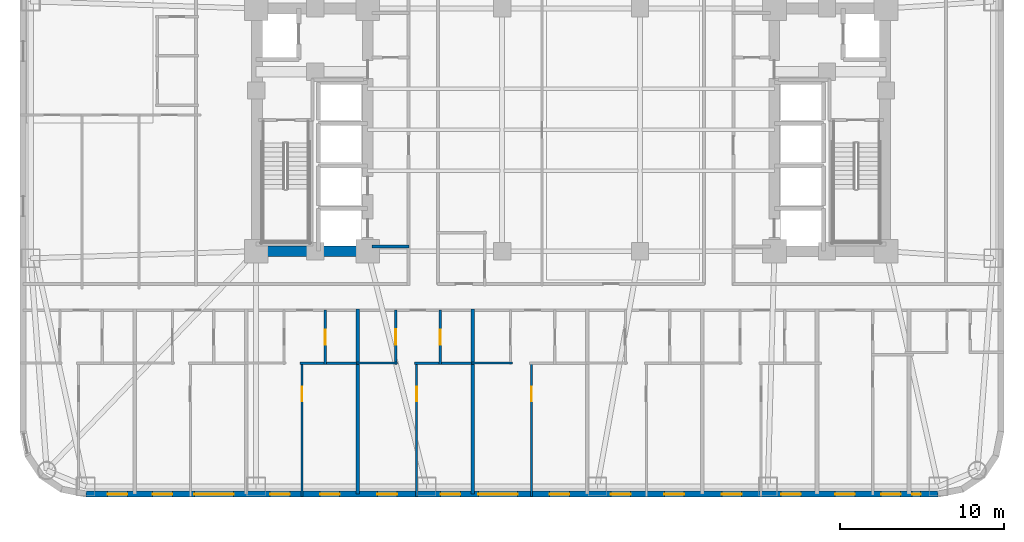
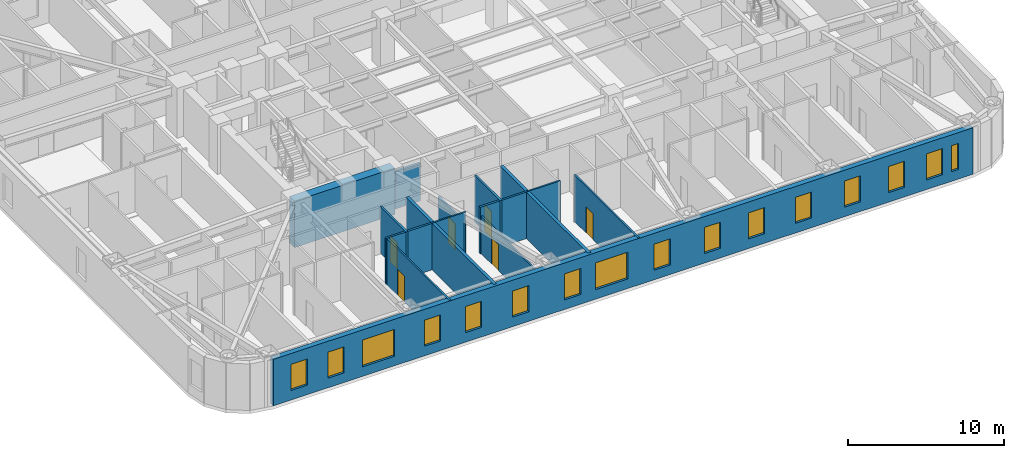
# One storey, part 3 of 12: 16 windows, 15 walls, 6 doors, 22 openings.
"""IFC4 building model written with IfcOpenShell, lengths in metres."""

from ifc_helpers import new_model, si_unit, direction, frame, frame_2d, origin, place, context, subcontext, project, spatial, rectangle, extrude, material, layer, layer_set, type_object, element, fill, save


model = new_model("IFC4")

# Units and contexts
model_context = context("Model", 3, precision=1e-05, world=origin(), true_north=direction((0.0, 1.0)))
body_context = subcontext(model_context, "Body", "Model", "MODEL_VIEW")
ifc_project = project(units=[si_unit("LENGTHUNIT", "METRE"), si_unit("AREAUNIT", "SQUARE_METRE"), si_unit("VOLUMEUNIT", "CUBIC_METRE"), si_unit("PLANEANGLEUNIT", "RADIAN"), si_unit("MASSUNIT", "GRAM", prefix="KILO")], contexts=[model_context])

# Site, building, storey
site_placement = place(None, origin())
site = spatial("IfcSite", under=ifc_project, at=site_placement, CompositionType="ELEMENT")
building_placement = place(site_placement, origin())
building = spatial("IfcBuilding", under=site, at=building_placement, Name="Voryun Gate Residences", CompositionType="ELEMENT")
storey_placement = place(building_placement, frame((0.0, 0.0, 65.0)))
storey = spatial("IfcBuildingStorey", under=building, at=storey_placement, Name="L15", CompositionType="ELEMENT", Elevation=65.0)

# Walls
ifc_material_1 = material(Name="Concrete C60/75", Category="concrete")
ifc_layer_1 = layer(ifc_material_1, 0.64990234375, Name="CW_CORE_650")
ifc_layer_set_1 = layer_set([ifc_layer_1], Name="Concrete C60/75")
wall_type_1 = type_object("IfcWallType", Name="CW_CORE_650", PredefinedType="SHEAR", material=ifc_layer_set_1)
wall_1_placement = place(storey_placement, frame((-19.52490234375, -7.39990234375, 0.0), z_axis=(0.0, 0.0, 1.0), x_axis=(1.0, 0.0, 0.0)))
element("IfcWall", 1, at=wall_1_placement, inside=storey, type_object=wall_type_1, Name="L15 Core shear wall CW-L15-WS", PredefinedType="SHEAR", context=body_context, shape_type="SweptSolid", body=[
    extrude(rectangle(XDim=7.449951171875, YDim=0.64990234375, at=frame_2d((3.72509765625, 0.0))), origin(), (0.0, 0.0, 1.0), 3.64990234375),
])
ifc_material_2 = material(Name="Gypsum acoustic fireboard")
ifc_layer_2 = layer(ifc_material_2, 0.179931640625, Name="W_CORR_RATED_180")
ifc_layer_set_2 = layer_set([ifc_layer_2], Name="Gypsum acoustic fireboard")
wall_type_2 = type_object("IfcWallType", Name="W_CORR_RATED_180", PredefinedType="PARTITIONING", material=ifc_layer_set_2)
wall_2_placement = place(storey_placement, frame((-12.14990234375, -7.1201171875, 0.0), z_axis=(0.0, 0.0, 1.0), x_axis=(1.0, 0.0, 0.0)))
element("IfcWall", 2, at=wall_2_placement, inside=storey, type_object=wall_type_2, Name="Partition wall WP-L15-PLBS-W", PredefinedType="PARTITIONING", context=body_context, shape_type="SweptSolid", body=[
    extrude(rectangle(XDim=2.27001953125, YDim=0.179931640625, at=frame_2d((1.135009765625, 0.0))), origin(), (0.0, 0.0, 1.0), 2.93994140625),
])

# Wall, openings, windows
ifc_material_3 = material(Name="Granite masonry", Category="masonry")
ifc_layer_3 = layer(ifc_material_3, 0.3798828125, Name="W_EXT_GRANITE_380")
ifc_layer_set_3 = layer_set([ifc_layer_3], Name="Granite masonry")
wall_type_3 = type_object("IfcWallType", Name="W_EXT_GRANITE_380", PredefinedType="ELEMENTEDWALL", material=ifc_layer_set_3)
wall_3_placement = place(storey_placement, frame((22.38134765625, -22.2099609375, 0.0), z_axis=(0.0, 0.0, 1.0), x_axis=(-1.0, 0.0, 0.0)))
wall_3 = element("IfcWall", 3, at=wall_3_placement, inside=storey, type_object=wall_type_3, Name="Exterior wall WEXT-L15-01", PredefinedType="ELEMENTEDWALL", context=body_context, shape_type="SweptSolid", body=[
    extrude(rectangle(XDim=51.962646484375, YDim=0.3798828125, at=frame_2d((25.9814453125, 0.0))), origin(), (0.0, 0.0, 1.0), 3.64990234375),
])
opening_1_placement = place(wall_3_placement, frame((25.63134765625, 0.0, 0.75)))
opening_1 = element("IfcOpeningElement", 4, at=opening_1_placement, cuts=wall_3, Name="Opening WN2", PredefinedType="OPENING", context=body_context, shape_type="SweptSolid", body=[
    extrude(rectangle(XDim=2.39990234375, YDim=2.10009765625, at=frame_2d((1.199951171875, 1.050048828125))), frame((0.0, 0.199951171875, 0.0), z_axis=(0.0, -1.0, 0.0), x_axis=(1.0, 0.0, 0.0)), (0.0, 0.0, 1.0), 0.39990234375),
])
opening_2_placement = place(wall_3_placement, frame((42.9521484375, 0.0, 0.75)))
opening_2 = element("IfcOpeningElement", 5, at=opening_2_placement, cuts=wall_3, Name="Opening WN2", PredefinedType="OPENING", context=body_context, shape_type="SweptSolid", body=[
    extrude(rectangle(XDim=2.39990234375, YDim=2.10009765625, at=frame_2d((1.199951171875, 1.050048828125))), frame((0.0, 0.199951171875, 0.0), z_axis=(0.0, -1.0, 0.0), x_axis=(1.0, 0.0, 0.0)), (0.0, 0.0, 1.0), 0.39990234375),
])
opening_3_placement = place(wall_3_placement, frame((49.432861328125, 0.0, 0.75)))
opening_3 = element("IfcOpeningElement", 6, at=opening_3_placement, cuts=wall_3, Name="Opening WN6", PredefinedType="OPENING", context=body_context, shape_type="SweptSolid", body=[
    extrude(rectangle(XDim=1.199951171875, YDim=2.050048828125, at=frame_2d((0.60009765625, 1.02490234375))), frame((0.0, 0.199951171875, 0.0), z_axis=(0.0, -1.0, 0.0), x_axis=(1.0, 0.0, 0.0)), (0.0, 0.0, 1.0), 0.39990234375),
])
opening_4_placement = place(wall_3_placement, frame((46.6953125, 0.0, 0.75)))
opening_4 = element("IfcOpeningElement", 7, at=opening_4_placement, cuts=wall_3, Name="Opening WN6", PredefinedType="OPENING", context=body_context, shape_type="SweptSolid", body=[
    extrude(rectangle(XDim=1.199951171875, YDim=2.050048828125, at=frame_2d((0.60009765625, 1.02490234375))), frame((0.0, 0.199951171875, 0.0), z_axis=(0.0, -1.0, 0.0), x_axis=(1.0, 0.0, 0.0)), (0.0, 0.0, 1.0), 0.39990234375),
])
opening_5_placement = place(wall_3_placement, frame((39.529296875, 0.0, 0.75)))
opening_5 = element("IfcOpeningElement", 8, at=opening_5_placement, cuts=wall_3, Name="Opening WN6", PredefinedType="OPENING", context=body_context, shape_type="SweptSolid", body=[
    extrude(rectangle(XDim=1.199951171875, YDim=2.050048828125, at=frame_2d((0.60009765625, 1.02490234375))), frame((0.0, 0.199951171875, 0.0), z_axis=(0.0, -1.0, 0.0), x_axis=(1.0, 0.0, 0.0)), (0.0, 0.0, 1.0), 0.39990234375),
])
opening_6_placement = place(wall_3_placement, frame((36.486328125, 0.0, 0.75)))
opening_6 = element("IfcOpeningElement", 9, at=opening_6_placement, cuts=wall_3, Name="Opening WN6", PredefinedType="OPENING", context=body_context, shape_type="SweptSolid", body=[
    extrude(rectangle(XDim=1.199951171875, YDim=2.050048828125, at=frame_2d((0.60009765625, 1.02490234375))), frame((0.0, 0.199951171875, 0.0), z_axis=(0.0, -1.0, 0.0), x_axis=(1.0, 0.0, 0.0)), (0.0, 0.0, 1.0), 0.39990234375),
])
opening_7_placement = place(wall_3_placement, frame((32.986328125, 0.0, 0.75)))
opening_7 = element("IfcOpeningElement", 10, at=opening_7_placement, cuts=wall_3, Name="Opening WN6", PredefinedType="OPENING", context=body_context, shape_type="SweptSolid", body=[
    extrude(rectangle(XDim=1.199951171875, YDim=2.050048828125, at=frame_2d((0.60009765625, 1.02490234375))), frame((0.0, 0.199951171875, 0.0), z_axis=(0.0, -1.0, 0.0), x_axis=(1.0, 0.0, 0.0)), (0.0, 0.0, 1.0), 0.39990234375),
])
opening_8_placement = place(wall_3_placement, frame((29.126220703125, 0.0, 0.75)))
opening_8 = element("IfcOpeningElement", 11, at=opening_8_placement, cuts=wall_3, Name="Opening WN6", PredefinedType="OPENING", context=body_context, shape_type="SweptSolid", body=[
    extrude(rectangle(XDim=1.199951171875, YDim=2.050048828125, at=frame_2d((0.60009765625, 1.02490234375))), frame((0.0, 0.199951171875, 0.0), z_axis=(0.0, -1.0, 0.0), x_axis=(1.0, 0.0, 0.0)), (0.0, 0.0, 1.0), 0.39990234375),
])
opening_9_placement = place(wall_3_placement, frame((22.486328125, 0.0, 0.75)))
opening_9 = element("IfcOpeningElement", 12, at=opening_9_placement, cuts=wall_3, Name="Opening WN6", PredefinedType="OPENING", context=body_context, shape_type="SweptSolid", body=[
    extrude(rectangle(XDim=1.199951171875, YDim=2.050048828125, at=frame_2d((0.60009765625, 1.02490234375))), frame((0.0, 0.199951171875, 0.0), z_axis=(0.0, -1.0, 0.0), x_axis=(1.0, 0.0, 0.0)), (0.0, 0.0, 1.0), 0.39990234375),
])
opening_10_placement = place(wall_3_placement, frame((18.746337890625, 0.0, 0.75)))
opening_10 = element("IfcOpeningElement", 13, at=opening_10_placement, cuts=wall_3, Name="Opening WN6", PredefinedType="OPENING", context=body_context, shape_type="SweptSolid", body=[
    extrude(rectangle(XDim=1.199951171875, YDim=2.050048828125, at=frame_2d((0.60009765625, 1.02490234375))), frame((0.0, 0.199951171875, 0.0), z_axis=(0.0, -1.0, 0.0), x_axis=(1.0, 0.0, 0.0)), (0.0, 0.0, 1.0), 0.39990234375),
])
opening_11_placement = place(wall_3_placement, frame((15.486328125, 0.0, 0.75)))
opening_11 = element("IfcOpeningElement", 14, at=opening_11_placement, cuts=wall_3, Name="Opening WN6", PredefinedType="OPENING", context=body_context, shape_type="SweptSolid", body=[
    extrude(rectangle(XDim=1.199951171875, YDim=2.050048828125, at=frame_2d((0.60009765625, 1.02490234375))), frame((0.0, 0.199951171875, 0.0), z_axis=(0.0, -1.0, 0.0), x_axis=(1.0, 0.0, 0.0)), (0.0, 0.0, 1.0), 0.39990234375),
])
opening_12_placement = place(wall_3_placement, frame((11.986328125, 0.0, 0.75)))
opening_12 = element("IfcOpeningElement", 15, at=opening_12_placement, cuts=wall_3, Name="Opening WN6", PredefinedType="OPENING", context=body_context, shape_type="SweptSolid", body=[
    extrude(rectangle(XDim=1.199951171875, YDim=2.050048828125, at=frame_2d((0.60009765625, 1.02490234375))), frame((0.0, 0.199951171875, 0.0), z_axis=(0.0, -1.0, 0.0), x_axis=(1.0, 0.0, 0.0)), (0.0, 0.0, 1.0), 0.39990234375),
])
opening_13_placement = place(wall_3_placement, frame((8.3662109375, 0.0, 0.75)))
opening_13 = element("IfcOpeningElement", 16, at=opening_13_placement, cuts=wall_3, Name="Opening WN6", PredefinedType="OPENING", context=body_context, shape_type="SweptSolid", body=[
    extrude(rectangle(XDim=1.199951171875, YDim=2.050048828125, at=frame_2d((0.60009765625, 1.02490234375))), frame((0.0, 0.199951171875, 0.0), z_axis=(0.0, -1.0, 0.0), x_axis=(1.0, 0.0, 0.0)), (0.0, 0.0, 1.0), 0.39990234375),
])
opening_14_placement = place(wall_3_placement, frame((5.081787109375, 0.0, 0.75)))
opening_14 = element("IfcOpeningElement", 17, at=opening_14_placement, cuts=wall_3, Name="Opening WN6", PredefinedType="OPENING", context=body_context, shape_type="SweptSolid", body=[
    extrude(rectangle(XDim=1.199951171875, YDim=2.050048828125, at=frame_2d((0.60009765625, 1.02490234375))), frame((0.0, 0.199951171875, 0.0), z_axis=(0.0, -1.0, 0.0), x_axis=(1.0, 0.0, 0.0)), (0.0, 0.0, 1.0), 0.39990234375),
])
opening_15_placement = place(wall_3_placement, frame((2.27734375, 0.0, 0.75)))
opening_15 = element("IfcOpeningElement", 18, at=opening_15_placement, cuts=wall_3, Name="Opening WN6", PredefinedType="OPENING", context=body_context, shape_type="SweptSolid", body=[
    extrude(rectangle(XDim=1.199951171875, YDim=2.050048828125, at=frame_2d((0.60009765625, 1.02490234375))), frame((0.0, 0.199951171875, 0.0), z_axis=(0.0, -1.0, 0.0), x_axis=(1.0, 0.0, 0.0)), (0.0, 0.0, 1.0), 0.39990234375),
])
opening_16_placement = place(wall_3_placement, frame((1.071044921875, 0.0, 0.75)))
opening_16 = element("IfcOpeningElement", 19, at=opening_16_placement, cuts=wall_3, Name="Opening WN10", PredefinedType="OPENING", context=body_context, shape_type="SweptSolid", body=[
    extrude(rectangle(XDim=0.52001953125, YDim=2.050048828125, at=frame_2d((0.260009765625, 1.02490234375))), frame((0.0, 0.199951171875, 0.0), z_axis=(0.0, -1.0, 0.0), x_axis=(1.0, 0.0, 0.0)), (0.0, 0.0, 1.0), 0.39990234375),
])
ifc_material_4 = material(Name="Laminated low-E glass", Category="glass")
window_type_1 = type_object("IfcWindowType", Name="WN_PAGODA_LANCET_520", PartitioningType="SINGLE_PANEL", PredefinedType="WINDOW", material=ifc_material_4)
window_1_placement = place(opening_16_placement, origin())
window_1 = element("IfcWindow", 20, at=window_1_placement, inside=storey, type_object=window_type_1, Name="Window WN-L15-DWFIX-28", OverallHeight=2.050048828125, OverallWidth=0.52001953125, PartitioningType="SINGLE_PANEL", PredefinedType="WINDOW", context=body_context, shape_type="SweptSolid", body=[
    extrude(rectangle(XDim=0.52001953125, YDim=2.050048828125, at=frame_2d((0.260009765625, 1.02490234375))), frame((0.0, 0.030029296875, 0.0), z_axis=(0.0, -1.0, 0.0), x_axis=(1.0, 0.0, 0.0)), (0.0, 0.0, 1.0), 0.06005859375),
])
fill(opening_16, window_1)
ifc_material_5 = material(Name="Laminated low-E glass", Category="glass")
window_type_2 = type_object("IfcWindowType", Name="WN_POD_SLOT_1200", PartitioningType="SINGLE_PANEL", PredefinedType="WINDOW", material=ifc_material_5)
window_2_placement = place(opening_3_placement, origin())
window_2 = element("IfcWindow", 21, at=window_2_placement, inside=storey, type_object=window_type_2, Name="Window WN-L15-DWFIX-15", OverallHeight=2.050048828125, OverallWidth=1.199951171875, PartitioningType="SINGLE_PANEL", PredefinedType="WINDOW", context=body_context, shape_type="SweptSolid", body=[
    extrude(rectangle(XDim=1.199951171875, YDim=2.050048828125, at=frame_2d((0.60009765625, 1.02490234375))), frame((0.0, 0.030029296875, 0.0), z_axis=(0.0, -1.0, 0.0), x_axis=(1.0, 0.0, 0.0)), (0.0, 0.0, 1.0), 0.06005859375),
])
fill(opening_3, window_2)
window_3_placement = place(opening_4_placement, origin())
window_3 = element("IfcWindow", 22, at=window_3_placement, inside=storey, type_object=window_type_2, Name="Window WN-L15-DWFIX-16", OverallHeight=2.050048828125, OverallWidth=1.199951171875, PartitioningType="SINGLE_PANEL", PredefinedType="WINDOW", context=body_context, shape_type="SweptSolid", body=[
    extrude(rectangle(XDim=1.199951171875, YDim=2.050048828125, at=frame_2d((0.60009765625, 1.02490234375))), frame((0.0, 0.030029296875, 0.0), z_axis=(0.0, -1.0, 0.0), x_axis=(1.0, 0.0, 0.0)), (0.0, 0.0, 1.0), 0.06005859375),
])
fill(opening_4, window_3)
window_4_placement = place(opening_5_placement, origin())
window_4 = element("IfcWindow", 23, at=window_4_placement, inside=storey, type_object=window_type_2, Name="Window WN-L15-DWFIX-17", OverallHeight=2.050048828125, OverallWidth=1.199951171875, PartitioningType="SINGLE_PANEL", PredefinedType="WINDOW", context=body_context, shape_type="SweptSolid", body=[
    extrude(rectangle(XDim=1.199951171875, YDim=2.050048828125, at=frame_2d((0.60009765625, 1.02490234375))), frame((0.0, 0.030029296875, 0.0), z_axis=(0.0, -1.0, 0.0), x_axis=(1.0, 0.0, 0.0)), (0.0, 0.0, 1.0), 0.06005859375),
])
fill(opening_5, window_4)
window_5_placement = place(opening_6_placement, origin())
window_5 = element("IfcWindow", 24, at=window_5_placement, inside=storey, type_object=window_type_2, Name="Window WN-L15-DWFIX-18", OverallHeight=2.050048828125, OverallWidth=1.199951171875, PartitioningType="SINGLE_PANEL", PredefinedType="WINDOW", context=body_context, shape_type="SweptSolid", body=[
    extrude(rectangle(XDim=1.199951171875, YDim=2.050048828125, at=frame_2d((0.60009765625, 1.02490234375))), frame((0.0, 0.030029296875, 0.0), z_axis=(0.0, -1.0, 0.0), x_axis=(1.0, 0.0, 0.0)), (0.0, 0.0, 1.0), 0.06005859375),
])
fill(opening_6, window_5)
window_6_placement = place(opening_7_placement, origin())
window_6 = element("IfcWindow", 25, at=window_6_placement, inside=storey, type_object=window_type_2, Name="Window WN-L15-DWFIX-19", OverallHeight=2.050048828125, OverallWidth=1.199951171875, PartitioningType="SINGLE_PANEL", PredefinedType="WINDOW", context=body_context, shape_type="SweptSolid", body=[
    extrude(rectangle(XDim=1.199951171875, YDim=2.050048828125, at=frame_2d((0.60009765625, 1.02490234375))), frame((0.0, 0.030029296875, 0.0), z_axis=(0.0, -1.0, 0.0), x_axis=(1.0, 0.0, 0.0)), (0.0, 0.0, 1.0), 0.06005859375),
])
fill(opening_7, window_6)
window_7_placement = place(opening_8_placement, origin())
window_7 = element("IfcWindow", 26, at=window_7_placement, inside=storey, type_object=window_type_2, Name="Window WN-L15-DWFIX-20", OverallHeight=2.050048828125, OverallWidth=1.199951171875, PartitioningType="SINGLE_PANEL", PredefinedType="WINDOW", context=body_context, shape_type="SweptSolid", body=[
    extrude(rectangle(XDim=1.199951171875, YDim=2.050048828125, at=frame_2d((0.60009765625, 1.02490234375))), frame((0.0, 0.030029296875, 0.0), z_axis=(0.0, -1.0, 0.0), x_axis=(1.0, 0.0, 0.0)), (0.0, 0.0, 1.0), 0.06005859375),
])
fill(opening_8, window_7)
window_8_placement = place(opening_9_placement, origin())
window_8 = element("IfcWindow", 27, at=window_8_placement, inside=storey, type_object=window_type_2, Name="Window WN-L15-DWFIX-21", OverallHeight=2.050048828125, OverallWidth=1.199951171875, PartitioningType="SINGLE_PANEL", PredefinedType="WINDOW", context=body_context, shape_type="SweptSolid", body=[
    extrude(rectangle(XDim=1.199951171875, YDim=2.050048828125, at=frame_2d((0.60009765625, 1.02490234375))), frame((0.0, 0.030029296875, 0.0), z_axis=(0.0, -1.0, 0.0), x_axis=(1.0, 0.0, 0.0)), (0.0, 0.0, 1.0), 0.06005859375),
])
fill(opening_9, window_8)
window_9_placement = place(opening_10_placement, origin())
window_9 = element("IfcWindow", 28, at=window_9_placement, inside=storey, type_object=window_type_2, Name="Window WN-L15-DWFIX-22", OverallHeight=2.050048828125, OverallWidth=1.199951171875, PartitioningType="SINGLE_PANEL", PredefinedType="WINDOW", context=body_context, shape_type="SweptSolid", body=[
    extrude(rectangle(XDim=1.199951171875, YDim=2.050048828125, at=frame_2d((0.60009765625, 1.02490234375))), frame((0.0, 0.030029296875, 0.0), z_axis=(0.0, -1.0, 0.0), x_axis=(1.0, 0.0, 0.0)), (0.0, 0.0, 1.0), 0.06005859375),
])
fill(opening_10, window_9)
window_10_placement = place(opening_11_placement, origin())
window_10 = element("IfcWindow", 29, at=window_10_placement, inside=storey, type_object=window_type_2, Name="Window WN-L15-DWFIX-23", OverallHeight=2.050048828125, OverallWidth=1.199951171875, PartitioningType="SINGLE_PANEL", PredefinedType="WINDOW", context=body_context, shape_type="SweptSolid", body=[
    extrude(rectangle(XDim=1.199951171875, YDim=2.050048828125, at=frame_2d((0.60009765625, 1.02490234375))), frame((0.0, 0.030029296875, 0.0), z_axis=(0.0, -1.0, 0.0), x_axis=(1.0, 0.0, 0.0)), (0.0, 0.0, 1.0), 0.06005859375),
])
fill(opening_11, window_10)
window_11_placement = place(opening_12_placement, origin())
window_11 = element("IfcWindow", 30, at=window_11_placement, inside=storey, type_object=window_type_2, Name="Window WN-L15-DWFIX-24", OverallHeight=2.050048828125, OverallWidth=1.199951171875, PartitioningType="SINGLE_PANEL", PredefinedType="WINDOW", context=body_context, shape_type="SweptSolid", body=[
    extrude(rectangle(XDim=1.199951171875, YDim=2.050048828125, at=frame_2d((0.60009765625, 1.02490234375))), frame((0.0, 0.030029296875, 0.0), z_axis=(0.0, -1.0, 0.0), x_axis=(1.0, 0.0, 0.0)), (0.0, 0.0, 1.0), 0.06005859375),
])
fill(opening_12, window_11)
window_12_placement = place(opening_13_placement, origin())
window_12 = element("IfcWindow", 31, at=window_12_placement, inside=storey, type_object=window_type_2, Name="Window WN-L15-DWFIX-25", OverallHeight=2.050048828125, OverallWidth=1.199951171875, PartitioningType="SINGLE_PANEL", PredefinedType="WINDOW", context=body_context, shape_type="SweptSolid", body=[
    extrude(rectangle(XDim=1.199951171875, YDim=2.050048828125, at=frame_2d((0.60009765625, 1.02490234375))), frame((0.0, 0.030029296875, 0.0), z_axis=(0.0, -1.0, 0.0), x_axis=(1.0, 0.0, 0.0)), (0.0, 0.0, 1.0), 0.06005859375),
])
fill(opening_13, window_12)
window_13_placement = place(opening_14_placement, origin())
window_13 = element("IfcWindow", 32, at=window_13_placement, inside=storey, type_object=window_type_2, Name="Window WN-L15-DWFIX-26", OverallHeight=2.050048828125, OverallWidth=1.199951171875, PartitioningType="SINGLE_PANEL", PredefinedType="WINDOW", context=body_context, shape_type="SweptSolid", body=[
    extrude(rectangle(XDim=1.199951171875, YDim=2.050048828125, at=frame_2d((0.60009765625, 1.02490234375))), frame((0.0, 0.030029296875, 0.0), z_axis=(0.0, -1.0, 0.0), x_axis=(1.0, 0.0, 0.0)), (0.0, 0.0, 1.0), 0.06005859375),
])
fill(opening_14, window_13)
window_14_placement = place(opening_15_placement, origin())
window_14 = element("IfcWindow", 33, at=window_14_placement, inside=storey, type_object=window_type_2, Name="Window WN-L15-DWFIX-27", OverallHeight=2.050048828125, OverallWidth=1.199951171875, PartitioningType="SINGLE_PANEL", PredefinedType="WINDOW", context=body_context, shape_type="SweptSolid", body=[
    extrude(rectangle(XDim=1.199951171875, YDim=2.050048828125, at=frame_2d((0.60009765625, 1.02490234375))), frame((0.0, 0.030029296875, 0.0), z_axis=(0.0, -1.0, 0.0), x_axis=(1.0, 0.0, 0.0)), (0.0, 0.0, 1.0), 0.06005859375),
])
fill(opening_15, window_14)
ifc_material_6 = material(Name="Laminated low-E glass", Category="glass")
window_type_3 = type_object("IfcWindowType", Name="WN_RES_WIDE_2400", PartitioningType="SINGLE_PANEL", PredefinedType="WINDOW", material=ifc_material_6)
window_15_placement = place(opening_1_placement, origin())
window_15 = element("IfcWindow", 34, at=window_15_placement, inside=storey, type_object=window_type_3, Name="Window WN-WEXT-L15-01-02", OverallHeight=2.10009765625, OverallWidth=2.39990234375, PartitioningType="SINGLE_PANEL", PredefinedType="WINDOW", context=body_context, shape_type="SweptSolid", body=[
    extrude(rectangle(XDim=2.39990234375, YDim=2.10009765625, at=frame_2d((1.199951171875, 1.050048828125))), frame((0.0, 0.030029296875, 0.0), z_axis=(0.0, -1.0, 0.0), x_axis=(1.0, 0.0, 0.0)), (0.0, 0.0, 1.0), 0.06005859375),
])
fill(opening_1, window_15)
window_16_placement = place(opening_2_placement, origin())
window_16 = element("IfcWindow", 35, at=window_16_placement, inside=storey, type_object=window_type_3, Name="Window WN-WEXT-L15-01-03", OverallHeight=2.10009765625, OverallWidth=2.39990234375, PartitioningType="SINGLE_PANEL", PredefinedType="WINDOW", context=body_context, shape_type="SweptSolid", body=[
    extrude(rectangle(XDim=2.39990234375, YDim=2.10009765625, at=frame_2d((1.199951171875, 1.050048828125))), frame((0.0, 0.030029296875, 0.0), z_axis=(0.0, -1.0, 0.0), x_axis=(1.0, 0.0, 0.0)), (0.0, 0.0, 1.0), 0.06005859375),
])
fill(opening_2, window_16)

# Walls
ifc_material_7 = material(Name="Concrete C40/50", Category="concrete")
ifc_layer_4 = layer(ifc_material_7, 0.219970703125, Name="W_PARTY_ACOUSTIC_220")
ifc_layer_set_4 = layer_set([ifc_layer_4], Name="Concrete C40/50")
wall_type_4 = type_object("IfcWallType", Name="W_PARTY_ACOUSTIC_220", PredefinedType="PARTITIONING", material=ifc_layer_set_4)
for number, where, z_axis, x_axis, name in (
    (36, (-13.0, -22.2099609375, 0.0), (0.0, 0.0, 1.0), (0.0, 1.0, 0.0), "Partition wall WP-L15-SPTY-3"),
    (37, (-6.0, -22.2099609375, 0.0), (0.0, 0.0, 1.0), (0.0, 1.0, 0.0), "Partition wall WP-L15-SPTY-4"),
):
    element("IfcWall", number, at=place(storey_placement, frame(where, z_axis=z_axis, x_axis=x_axis)), inside=storey, type_object=wall_type_4, Name=name, PredefinedType="PARTITIONING", context=body_context, shape_type="SweptSolid", body=[
        extrude(rectangle(XDim=11.2900390625, YDim=0.219970703125, at=frame_2d((5.64501953125, 0.0))), origin(), (0.0, 0.0, 1.0), 3.64990234375),
    ])

# Wall, opening, door
ifc_material_8 = material(Name="Gypsum acoustic partition")
ifc_layer_5 = layer(ifc_material_8, 0.125, Name="W_UNIT_PART_125")
ifc_layer_set_5 = layer_set([ifc_layer_5], Name="Gypsum acoustic partition")
wall_type_5 = type_object("IfcWallType", Name="W_UNIT_PART_125", PredefinedType="PARTITIONING", material=ifc_layer_set_5)
wall_4_placement = place(storey_placement, frame((-16.409912109375, -22.360107421875, 0.0), z_axis=(0.0, 0.0, 1.0), x_axis=(0.0, 1.0, 0.0)))
wall_4 = element("IfcWall", 38, at=wall_4_placement, inside=storey, type_object=wall_type_5, Name="Partition wall WP-L15-S3-OVR", PredefinedType="PARTITIONING", context=body_context, shape_type="SweptSolid", body=[
    extrude(rectangle(XDim=8.22021484375, YDim=0.125, at=frame_2d((4.110107421875, 0.0))), origin(), (0.0, 0.0, 1.0), 3.64990234375),
])
opening_17_placement = place(wall_4_placement, frame((5.797119140625, 0.0, 0.0)))
opening_17 = element("IfcOpeningElement", 39, at=opening_17_placement, cuts=wall_4, Name="Opening D-INT-2", PredefinedType="OPENING", context=body_context, shape_type="SweptSolid", body=[
    extrude(rectangle(XDim=0.89990234375, YDim=2.050048828125, at=frame_2d((0.449951171875, 1.02490234375))), frame((0.0, 0.072509765625, 0.0), z_axis=(0.0, -1.0, 0.0), x_axis=(1.0, 0.0, 0.0)), (0.0, 0.0, 1.0), 0.14501953125),
])
ifc_material_9 = material(Name="Architectural oak veneer")
door_type_1 = type_object("IfcDoorType", Name="DR_INT_BATH_900", OperationType="NOTDEFINED", PredefinedType="DOOR", material=ifc_material_9)
door_1_placement = place(opening_17_placement, origin())
door_1 = element("IfcDoor", 40, at=door_1_placement, inside=storey, type_object=door_type_1, Name="Door DR-L15-S3-DMB", OperationType="SINGLE_SWING_RIGHT", OverallHeight=2.050048828125, OverallWidth=0.89990234375, PredefinedType="DOOR", context=body_context, shape_type="SweptSolid", body=[
    extrude(rectangle(XDim=0.89990234375, YDim=2.050048828125, at=frame_2d((0.449951171875, 1.02490234375))), frame((0.0, 0.02490234375, 0.0), z_axis=(0.0, -1.0, 0.0), x_axis=(1.0, 0.0, 0.0)), (0.0, 0.0, 1.0), 0.050048828125),
])
fill(opening_17, door_1)

wall_5_placement = place(storey_placement, frame((-9.409912109375, -22.360107421875, 0.0), z_axis=(0.0, 0.0, 1.0), x_axis=(0.0, 1.0, 0.0)))
wall_5 = element("IfcWall", 41, at=wall_5_placement, inside=storey, type_object=wall_type_5, Name="Partition wall WP-L15-S4-OVR", PredefinedType="PARTITIONING", context=body_context, shape_type="SweptSolid", body=[
    extrude(rectangle(XDim=8.22021484375, YDim=0.125, at=frame_2d((4.110107421875, 0.0))), origin(), (0.0, 0.0, 1.0), 2.93994140625),
])
opening_18_placement = place(wall_5_placement, frame((5.797119140625, 0.0, 0.0)))
opening_18 = element("IfcOpeningElement", 42, at=opening_18_placement, cuts=wall_5, Name="Opening D-INT-2", PredefinedType="OPENING", context=body_context, shape_type="SweptSolid", body=[
    extrude(rectangle(XDim=0.89990234375, YDim=2.050048828125, at=frame_2d((0.449951171875, 1.02490234375))), frame((0.0, 0.072509765625, 0.0), z_axis=(0.0, -1.0, 0.0), x_axis=(1.0, 0.0, 0.0)), (0.0, 0.0, 1.0), 0.14501953125),
])
door_2_placement = place(opening_18_placement, origin())
door_2 = element("IfcDoor", 43, at=door_2_placement, inside=storey, type_object=door_type_1, Name="Door DR-L15-S4-DMB", OperationType="SINGLE_SWING_RIGHT", OverallHeight=2.050048828125, OverallWidth=0.89990234375, PredefinedType="DOOR", context=body_context, shape_type="SweptSolid", body=[
    extrude(rectangle(XDim=0.89990234375, YDim=2.050048828125, at=frame_2d((0.449951171875, 1.02490234375))), frame((0.0, 0.02490234375, 0.0), z_axis=(0.0, -1.0, 0.0), x_axis=(1.0, 0.0, 0.0)), (0.0, 0.0, 1.0), 0.050048828125),
])
fill(opening_18, door_2)

wall_6_placement = place(storey_placement, frame((-10.68994140625, -14.300048828125, 0.0), z_axis=(0.0, 0.0, 1.0), x_axis=(0.0, 1.0, 0.0)))
wall_6 = element("IfcWall", 44, at=wall_6_placement, inside=storey, type_object=wall_type_5, Name="Partition wall WP-L15-S4-IVK", PredefinedType="PARTITIONING", context=body_context, shape_type="SweptSolid", body=[
    extrude(rectangle(XDim=3.320068359375, YDim=0.125, at=frame_2d((1.66015625, 0.0))), origin(), (0.0, 0.0, 1.0), 2.93994140625),
])
opening_19_placement = place(wall_6_placement, frame((1.18505859375, 0.0, 0.0)))
opening_19 = element("IfcOpeningElement", 45, at=opening_19_placement, cuts=wall_6, Name="Opening D-INT-1", PredefinedType="OPENING", context=body_context, shape_type="SweptSolid", body=[
    extrude(rectangle(XDim=0.949951171875, YDim=2.050048828125, at=frame_2d((0.47509765625, 1.02490234375))), frame((0.0, 0.072509765625, 0.0), z_axis=(0.0, -1.0, 0.0), x_axis=(1.0, 0.0, 0.0)), (0.0, 0.0, 1.0), 0.14501953125),
])
ifc_material_10 = material(Name="Architectural oak veneer")
door_type_2 = type_object("IfcDoorType", Name="DR_INT_ROOM_950", OperationType="NOTDEFINED", PredefinedType="DOOR", material=ifc_material_10)
door_3_placement = place(opening_19_placement, origin())
door_3 = element("IfcDoor", 46, at=door_3_placement, inside=storey, type_object=door_type_2, Name="Door DR-L15-S4-DK", OperationType="SINGLE_SWING_LEFT", OverallHeight=2.050048828125, OverallWidth=0.949951171875, PredefinedType="DOOR", context=body_context, shape_type="SweptSolid", body=[
    extrude(rectangle(XDim=0.949951171875, YDim=2.050048828125, at=frame_2d((0.47509765625, 1.02490234375))), frame((0.0, 0.02490234375, 0.0), z_axis=(0.0, -1.0, 0.0), x_axis=(1.0, 0.0, 0.0)), (0.0, 0.0, 1.0), 0.050048828125),
])
fill(opening_19, door_3)

# Wall
wall_7_placement = place(storey_placement, frame((-13.074951171875, -14.219970703125, 0.0), z_axis=(0.0, 0.0, 1.0), x_axis=(1.0, 0.0, 0.0)))
element("IfcWall", 47, at=wall_7_placement, inside=storey, type_object=wall_type_5, Name="Partition wall WP-L15-S4-HZK", PredefinedType="PARTITIONING", context=body_context, shape_type="SweptSolid", body=[
    extrude(rectangle(XDim=2.5048828125, YDim=0.125, at=frame_2d((1.25244140625, 0.0))), origin(), (0.0, 0.0, 1.0), 3.64990234375),
])

# Wall, opening, door
wall_8_placement = place(storey_placement, frame((-2.409912109375, -22.360107421875, 0.0), z_axis=(0.0, 0.0, 1.0), x_axis=(0.0, 1.0, 0.0)))
wall_8 = element("IfcWall", 48, at=wall_8_placement, inside=storey, type_object=wall_type_5, Name="Partition wall WP-L15-S5-OVR", PredefinedType="PARTITIONING", context=body_context, shape_type="SweptSolid", body=[
    extrude(rectangle(XDim=8.22021484375, YDim=0.125, at=frame_2d((4.110107421875, 0.0))), origin(), (0.0, 0.0, 1.0), 3.64990234375),
])
opening_20_placement = place(wall_8_placement, frame((5.797119140625, 0.0, 0.0)))
opening_20 = element("IfcOpeningElement", 49, at=opening_20_placement, cuts=wall_8, Name="Opening D-INT-2", PredefinedType="OPENING", context=body_context, shape_type="SweptSolid", body=[
    extrude(rectangle(XDim=0.89990234375, YDim=2.050048828125, at=frame_2d((0.449951171875, 1.02490234375))), frame((0.0, 0.072509765625, 0.0), z_axis=(0.0, -1.0, 0.0), x_axis=(1.0, 0.0, 0.0)), (0.0, 0.0, 1.0), 0.14501953125),
])
door_4_placement = place(opening_20_placement, origin())
door_4 = element("IfcDoor", 50, at=door_4_placement, inside=storey, type_object=door_type_1, Name="Door DR-L15-S5-DMB", OperationType="SINGLE_SWING_RIGHT", OverallHeight=2.050048828125, OverallWidth=0.89990234375, PredefinedType="DOOR", context=body_context, shape_type="SweptSolid", body=[
    extrude(rectangle(XDim=0.89990234375, YDim=2.050048828125, at=frame_2d((0.449951171875, 1.02490234375))), frame((0.0, 0.02490234375, 0.0), z_axis=(0.0, -1.0, 0.0), x_axis=(1.0, 0.0, 0.0)), (0.0, 0.0, 1.0), 0.050048828125),
])
fill(opening_20, door_4)

# Walls
wall_9_placement = place(storey_placement, frame((-6.074951171875, -14.219970703125, 0.0), z_axis=(0.0, 0.0, 1.0), x_axis=(1.0, 0.0, 0.0)))
element("IfcWall", 51, at=wall_9_placement, inside=storey, type_object=wall_type_5, Name="Partition wall WP-L15-S5-HZK", PredefinedType="PARTITIONING", context=body_context, shape_type="SweptSolid", body=[
    extrude(rectangle(XDim=2.5048828125, YDim=0.125, at=frame_2d((1.25244140625, 0.0))), origin(), (0.0, 0.0, 1.0), 3.64990234375),
])
ifc_material_11 = material(Name="Gypsum moisture-resistant partition")
ifc_layer_6 = layer(ifc_material_11, 0.14990234375, Name="W_WET_PLUMB_150")
ifc_layer_set_6 = layer_set([ifc_layer_6], Name="Gypsum moisture-resistant partition")
wall_type_6 = type_object("IfcWallType", Name="W_WET_PLUMB_150", PredefinedType="PLUMBINGWALL", material=ifc_layer_set_6)
wall_10_placement = place(storey_placement, frame((-16.530029296875, -14.219970703125, 0.0), z_axis=(0.0, 0.0, 1.0), x_axis=(1.0, 0.0, 0.0)))
element("IfcWall", 52, at=wall_10_placement, inside=storey, type_object=wall_type_6, Name="Partition wall WP-L15-S3-HZB", PredefinedType="PLUMBINGWALL", context=body_context, shape_type="SweptSolid", body=[
    extrude(rectangle(XDim=3.60498046875, YDim=0.14990234375, at=frame_2d((1.802490234375, 0.0))), origin(), (0.0, 0.0, 1.0), 3.64990234375),
])

# Wall, opening, door
wall_11_placement = place(storey_placement, frame((-14.97998046875, -14.300048828125, 0.0), z_axis=(0.0, 0.0, 1.0), x_axis=(0.0, 1.0, 0.0)))
wall_11 = element("IfcWall", 53, at=wall_11_placement, inside=storey, type_object=wall_type_6, Name="Partition wall WP-L15-S3-IVB", PredefinedType="PLUMBINGWALL", context=body_context, shape_type="SweptSolid", body=[
    extrude(rectangle(XDim=3.320068359375, YDim=0.14990234375, at=frame_2d((1.66015625, 0.0))), origin(), (0.0, 0.0, 1.0), 3.64990234375),
])
opening_21_placement = place(wall_11_placement, frame((1.2099609375, 0.0, 0.0)))
opening_21 = element("IfcOpeningElement", 54, at=opening_21_placement, cuts=wall_11, Name="Opening D-INT-2", PredefinedType="OPENING", context=body_context, shape_type="SweptSolid", body=[
    extrude(rectangle(XDim=0.89990234375, YDim=2.050048828125, at=frame_2d((0.449951171875, 1.02490234375))), frame((0.0, 0.0849609375, 0.0), z_axis=(0.0, -1.0, 0.0), x_axis=(1.0, 0.0, 0.0)), (0.0, 0.0, 1.0), 0.169921875),
])
door_5_placement = place(opening_21_placement, origin())
door_5 = element("IfcDoor", 55, at=door_5_placement, inside=storey, type_object=door_type_1, Name="Door DR-L15-S3-DB", OperationType="SINGLE_SWING_RIGHT", OverallHeight=2.050048828125, OverallWidth=0.89990234375, PredefinedType="DOOR", context=body_context, shape_type="SweptSolid", body=[
    extrude(rectangle(XDim=0.89990234375, YDim=2.050048828125, at=frame_2d((0.449951171875, 1.02490234375))), frame((0.0, 0.02490234375, 0.0), z_axis=(0.0, -1.0, 0.0), x_axis=(1.0, 0.0, 0.0)), (0.0, 0.0, 1.0), 0.050048828125),
])
fill(opening_21, door_5)

# Wall
wall_12_placement = place(storey_placement, frame((-9.530029296875, -14.219970703125, 0.0), z_axis=(0.0, 0.0, 1.0), x_axis=(1.0, 0.0, 0.0)))
element("IfcWall", 56, at=wall_12_placement, inside=storey, type_object=wall_type_6, Name="Partition wall WP-L15-S4-HZB", PredefinedType="PLUMBINGWALL", context=body_context, shape_type="SweptSolid", body=[
    extrude(rectangle(XDim=3.60498046875, YDim=0.14990234375, at=frame_2d((1.802490234375, 0.0))), origin(), (0.0, 0.0, 1.0), 3.64990234375),
])

# Wall, opening, door
wall_13_placement = place(storey_placement, frame((-7.97998046875, -14.300048828125, 0.0), z_axis=(0.0, 0.0, 1.0), x_axis=(0.0, 1.0, 0.0)))
wall_13 = element("IfcWall", 57, at=wall_13_placement, inside=storey, type_object=wall_type_6, Name="Partition wall WP-L15-S4-IVB", PredefinedType="PLUMBINGWALL", context=body_context, shape_type="SweptSolid", body=[
    extrude(rectangle(XDim=3.320068359375, YDim=0.14990234375, at=frame_2d((1.66015625, 0.0))), origin(), (0.0, 0.0, 1.0), 3.64990234375),
])
opening_22_placement = place(wall_13_placement, frame((1.2099609375, 0.0, 0.0)))
opening_22 = element("IfcOpeningElement", 58, at=opening_22_placement, cuts=wall_13, Name="Opening D-INT-2", PredefinedType="OPENING", context=body_context, shape_type="SweptSolid", body=[
    extrude(rectangle(XDim=0.89990234375, YDim=2.050048828125, at=frame_2d((0.449951171875, 1.02490234375))), frame((0.0, 0.0849609375, 0.0), z_axis=(0.0, -1.0, 0.0), x_axis=(1.0, 0.0, 0.0)), (0.0, 0.0, 1.0), 0.169921875),
])
door_6_placement = place(opening_22_placement, origin())
door_6 = element("IfcDoor", 59, at=door_6_placement, inside=storey, type_object=door_type_1, Name="Door DR-L15-S4-DB", OperationType="SINGLE_SWING_RIGHT", OverallHeight=2.050048828125, OverallWidth=0.89990234375, PredefinedType="DOOR", context=body_context, shape_type="SweptSolid", body=[
    extrude(rectangle(XDim=0.89990234375, YDim=2.050048828125, at=frame_2d((0.449951171875, 1.02490234375))), frame((0.0, 0.02490234375, 0.0), z_axis=(0.0, -1.0, 0.0), x_axis=(1.0, 0.0, 0.0)), (0.0, 0.0, 1.0), 0.050048828125),
])
fill(opening_22, door_6)

save(model, "model.ifc")
